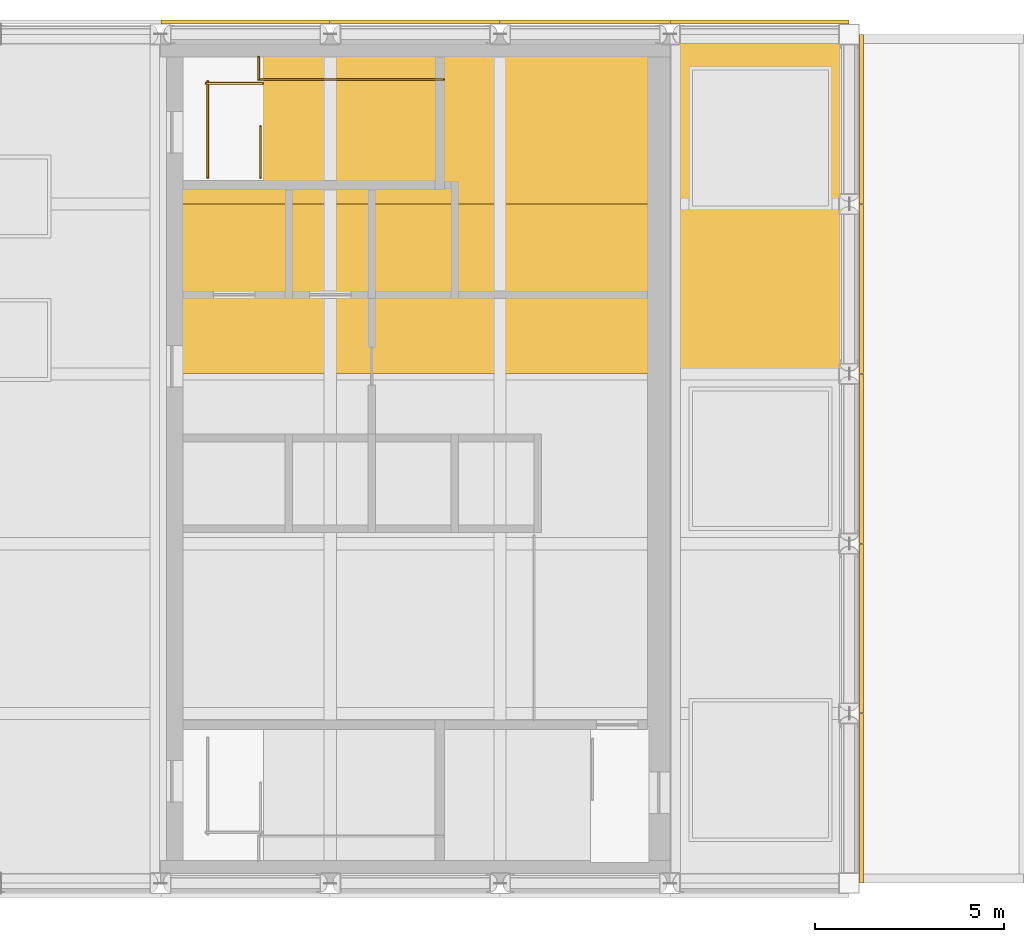
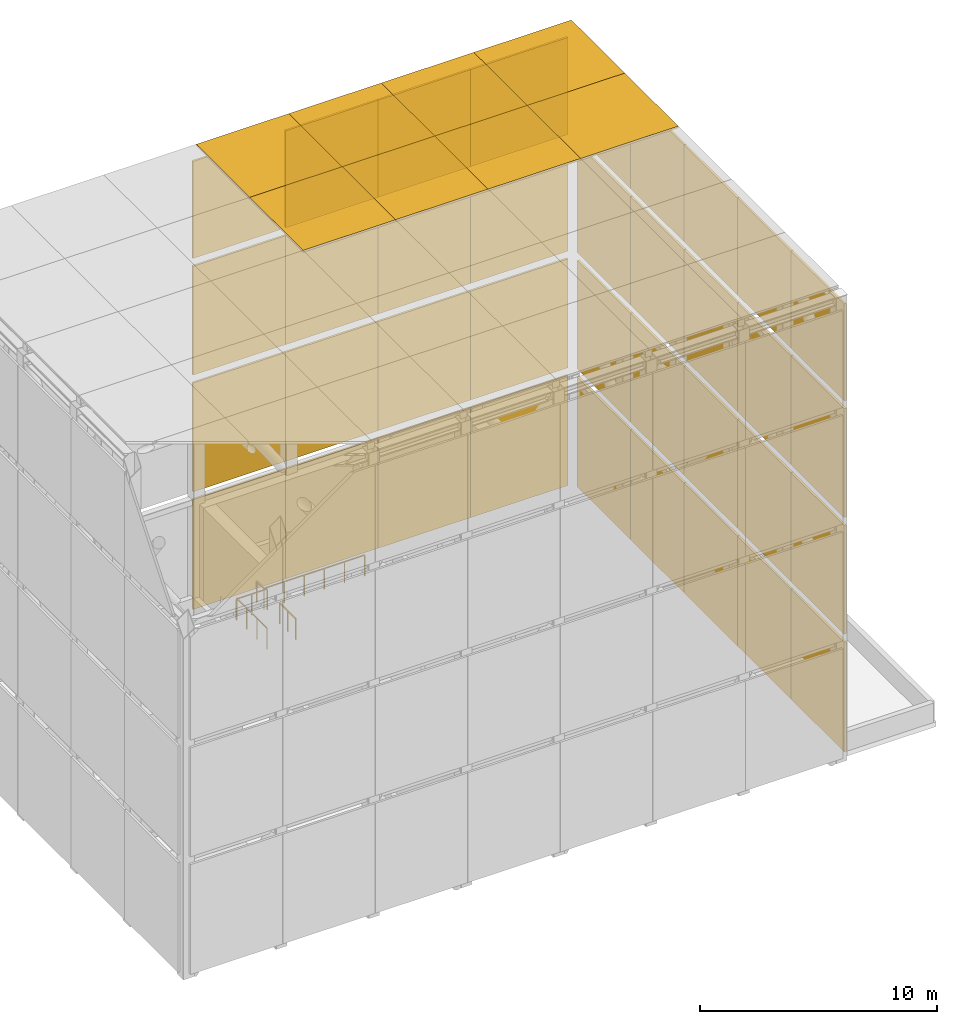
# One storey, part 9 of 11: 44 shading devices, 5 railings.
"""IFC4 building model written with IfcOpenShell, lengths in metres."""

from ifc_helpers import new_model, si_unit, direction, frame, origin, origin_2d, place, context, subcontext, project, spatial, rectangle, extrude, material, layer, layer_set, type_object, element, save


model = new_model("IFC4")

# Units and contexts
model_context = context("Model", 3, precision=1e-05, world=origin(), true_north=direction((0.0, 1.0)))
body_context = subcontext(model_context, "Body", "Model", "MODEL_VIEW")
ifc_project = project(units=[si_unit("LENGTHUNIT", "METRE"), si_unit("AREAUNIT", "SQUARE_METRE"), si_unit("VOLUMEUNIT", "CUBIC_METRE"), si_unit("PLANEANGLEUNIT", "RADIAN"), si_unit("MASSUNIT", "GRAM", prefix="KILO")], contexts=[model_context])

# Site, building, storey
site_placement = place(None, origin())
site = spatial("IfcSite", under=ifc_project, at=site_placement, CompositionType="ELEMENT")
building_placement = place(site_placement, origin())
building = spatial("IfcBuilding", under=site, at=building_placement, Name="Sennacour Bend Tower", CompositionType="ELEMENT")
storey_placement = place(building_placement, frame((0.0, 0.0, 355.5)))
storey = spatial("IfcBuildingStorey", under=building, at=storey_placement, Name="RF", CompositionType="ELEMENT", Elevation=355.5)

# Shading devices
ifc_material_1 = material(Name="Bronze anodised aluminium louvre", Category="aluminium")
ifc_layer_1 = layer(ifc_material_1, 0.10009765625, Name="Bronze anodised aluminium louvre", Category="aluminium")
ifc_layer_set_1 = layer_set([ifc_layer_1], Name="Bronze anodised aluminium louvre")
shading_device_type_1 = type_object("IfcShadingDeviceType", Name="CROWN ROOF LOUVRE", PredefinedType="USERDEFINED", material=ifc_layer_set_1)
for number, where, z_axis, x_axis, name in (
    (1, (56.25, 15.75, 24.0), (0.0, 0.0, 1.0), (1.0, 0.0, 0.0), "Crown roof louvre"),
    (2, (60.75, 15.75, 24.0), (0.0, 0.0, 1.0), (1.0, 0.0, 0.0), "Crown roof louvre"),
    (3, (65.25, 15.75, 24.0), (0.0, 0.0, 1.0), (1.0, 0.0, 0.0), "Crown roof louvre"),
):
    element("IfcShadingDevice", number, at=place(storey_placement, frame(where, z_axis=z_axis, x_axis=x_axis)), inside=storey, type_object=shading_device_type_1, Name=name, ObjectType="LOUVRE", PredefinedType="USERDEFINED", context=body_context, shape_type="SweptSolid", body=[
        extrude(rectangle(XDim=4.5, YDim=4.5, at=origin_2d()), origin(), (0.0, 0.0, 1.0), 0.10009765625),
    ])
shading_device_1_placement = place(storey_placement, frame((69.875, 15.75, 24.0), z_axis=(0.0, 0.0, 1.0), x_axis=(1.0, 0.0, 0.0)))
element("IfcShadingDevice", 4, at=shading_device_1_placement, inside=storey, type_object=shading_device_type_1, Name="Crown roof louvre", ObjectType="LOUVRE", PredefinedType="USERDEFINED", context=body_context, shape_type="SweptSolid", body=[
    extrude(rectangle(XDim=4.75, YDim=4.5, at=origin_2d()), origin(), (0.0, 0.0, 1.0), 0.10009765625),
])
for number, where, z_axis, x_axis, name in (
    (5, (56.25, 20.25, 24.0), (0.0, 0.0, 1.0), (1.0, 0.0, 0.0), "Crown roof louvre"),
    (6, (60.75, 20.25, 24.0), (0.0, 0.0, 1.0), (1.0, 0.0, 0.0), "Crown roof louvre"),
    (7, (65.25, 20.25, 24.0), (0.0, 0.0, 1.0), (1.0, 0.0, 0.0), "Crown roof louvre"),
):
    element("IfcShadingDevice", number, at=place(storey_placement, frame(where, z_axis=z_axis, x_axis=x_axis)), inside=storey, type_object=shading_device_type_1, Name=name, ObjectType="LOUVRE", PredefinedType="USERDEFINED", context=body_context, shape_type="SweptSolid", body=[
        extrude(rectangle(XDim=4.5, YDim=4.5, at=origin_2d()), origin(), (0.0, 0.0, 1.0), 0.10009765625),
    ])
shading_device_2_placement = place(storey_placement, frame((69.875, 20.25, 24.0), z_axis=(0.0, 0.0, 1.0), x_axis=(1.0, 0.0, 0.0)))
element("IfcShadingDevice", 8, at=shading_device_2_placement, inside=storey, type_object=shading_device_type_1, Name="Crown roof louvre", ObjectType="LOUVRE", PredefinedType="USERDEFINED", context=body_context, shape_type="SweptSolid", body=[
    extrude(rectangle(XDim=4.75, YDim=4.5, at=origin_2d()), origin(), (0.0, 0.0, 1.0), 0.10009765625),
])
ifc_material_2 = material(Name="Bronze anodised aluminium louvre screen", Category="aluminium")
ifc_layer_2 = layer(ifc_material_2, 0.10009765625, Name="Bronze anodised aluminium louvre screen", Category="aluminium")
ifc_layer_set_2 = layer_set([ifc_layer_2], Name="Bronze anodised aluminium louvre screen")
shading_device_type_2 = type_object("IfcShadingDeviceType", Name="CROWN SCREEN LOUVRE", PredefinedType="USERDEFINED", material=ifc_layer_set_2)
for number, where, z_axis, x_axis, name in (
    (9, (72.579345703125, 2.25, 18.0478515625), (0.0, 0.0, 1.0), (0.0, 1.0, 0.0), "Crown screen"),
    (10, (72.579345703125, 6.75, 18.0478515625), (0.0, 0.0, 1.0), (0.0, 1.0, 0.0), "Crown screen"),
    (11, (72.579345703125, 11.25, 18.0478515625), (0.0, 0.0, 1.0), (0.0, 1.0, 0.0), "Crown screen"),
    (12, (72.579345703125, 15.75, 18.0478515625), (0.0, 0.0, 1.0), (0.0, 1.0, 0.0), "Crown screen"),
    (13, (72.579345703125, 20.25, 18.0478515625), (0.0, 0.0, 1.0), (0.0, 1.0, 0.0), "Crown screen"),
    (14, (56.25, 22.829345703125, 18.0478515625), (0.0, 0.0, 1.0), (1.0, 0.0, 0.0), "Crown screen"),
    (15, (60.75, 22.829345703125, 18.0478515625), (0.0, 0.0, 1.0), (1.0, 0.0, 0.0), "Crown screen"),
    (16, (65.25, 22.829345703125, 18.0478515625), (0.0, 0.0, 1.0), (1.0, 0.0, 0.0), "Crown screen"),
):
    element("IfcShadingDevice", number, at=place(storey_placement, frame(where, z_axis=z_axis, x_axis=x_axis)), inside=storey, type_object=shading_device_type_2, Name=name, ObjectType="SCREEN", PredefinedType="USERDEFINED", context=body_context, shape_type="SweptSolid", body=[
        extrude(rectangle(XDim=4.489990234375, YDim=0.10009765625, at=origin_2d()), origin(), (0.0, 0.0, 1.0), 4.990966796875),
    ])
shading_device_3_placement = place(storey_placement, frame((69.875, 22.829345703125, 18.0478515625), z_axis=(0.0, 0.0, 1.0), x_axis=(1.0, 0.0, 0.0)))
element("IfcShadingDevice", 17, at=shading_device_3_placement, inside=storey, type_object=shading_device_type_2, Name="Crown screen", ObjectType="SCREEN", PredefinedType="USERDEFINED", context=body_context, shape_type="SweptSolid", body=[
    extrude(rectangle(XDim=4.739990234375, YDim=0.10009765625, at=origin_2d()), origin(), (0.0, 0.0, 1.0), 4.990966796875),
])
ifc_material_3 = material(Name="Perforated bronze anodised aluminium screen", Category="aluminium")
ifc_layer_3 = layer(ifc_material_3, 0.10009765625, Name="Perforated bronze anodised aluminium screen", Category="aluminium")
ifc_layer_set_3 = layer_set([ifc_layer_3], Name="Perforated bronze anodised aluminium screen")
shading_device_type_3 = type_object("IfcShadingDeviceType", Name="CROWN SCREEN PERFORATED", PredefinedType="USERDEFINED", material=ifc_layer_set_3)
shading_device_4_placement = place(storey_placement, frame((72.579345703125, 2.25, 0.0), z_axis=(0.0, 0.0, 1.0), x_axis=(0.0, 1.0, 0.0)))
element("IfcShadingDevice", 18, at=shading_device_4_placement, inside=storey, type_object=shading_device_type_3, Name="Crown screen", ObjectType="SCREEN", PredefinedType="USERDEFINED", context=body_context, shape_type="SweptSolid", body=[
    extrude(rectangle(XDim=4.489990234375, YDim=0.10009765625, at=origin_2d()), origin(), (0.0, 0.0, 1.0), 5.64794921875),
])
for number, where, z_axis, x_axis, name in (
    (19, (72.579345703125, 2.25, 6.0478515625), (0.0, 0.0, 1.0), (0.0, 1.0, 0.0), "Crown screen"),
    (20, (72.579345703125, 2.25, 12.0478515625), (0.0, 0.0, 1.0), (0.0, 1.0, 0.0), "Crown screen"),
):
    element("IfcShadingDevice", number, at=place(storey_placement, frame(where, z_axis=z_axis, x_axis=x_axis)), inside=storey, type_object=shading_device_type_3, Name=name, ObjectType="SCREEN", PredefinedType="USERDEFINED", context=body_context, shape_type="SweptSolid", body=[
        extrude(rectangle(XDim=4.489990234375, YDim=0.10009765625, at=origin_2d()), origin(), (0.0, 0.0, 1.0), 5.60009765625),
    ])
shading_device_5_placement = place(storey_placement, frame((72.579345703125, 6.75, 0.0), z_axis=(0.0, 0.0, 1.0), x_axis=(0.0, 1.0, 0.0)))
element("IfcShadingDevice", 21, at=shading_device_5_placement, inside=storey, type_object=shading_device_type_3, Name="Crown screen", ObjectType="SCREEN", PredefinedType="USERDEFINED", context=body_context, shape_type="SweptSolid", body=[
    extrude(rectangle(XDim=4.489990234375, YDim=0.10009765625, at=origin_2d()), origin(), (0.0, 0.0, 1.0), 5.64794921875),
])
for number, where, z_axis, x_axis, name in (
    (22, (72.579345703125, 6.75, 6.0478515625), (0.0, 0.0, 1.0), (0.0, 1.0, 0.0), "Crown screen"),
    (23, (72.579345703125, 6.75, 12.0478515625), (0.0, 0.0, 1.0), (0.0, 1.0, 0.0), "Crown screen"),
):
    element("IfcShadingDevice", number, at=place(storey_placement, frame(where, z_axis=z_axis, x_axis=x_axis)), inside=storey, type_object=shading_device_type_3, Name=name, ObjectType="SCREEN", PredefinedType="USERDEFINED", context=body_context, shape_type="SweptSolid", body=[
        extrude(rectangle(XDim=4.489990234375, YDim=0.10009765625, at=origin_2d()), origin(), (0.0, 0.0, 1.0), 5.60009765625),
    ])
shading_device_6_placement = place(storey_placement, frame((72.579345703125, 11.25, 0.0), z_axis=(0.0, 0.0, 1.0), x_axis=(0.0, 1.0, 0.0)))
element("IfcShadingDevice", 24, at=shading_device_6_placement, inside=storey, type_object=shading_device_type_3, Name="Crown screen", ObjectType="SCREEN", PredefinedType="USERDEFINED", context=body_context, shape_type="SweptSolid", body=[
    extrude(rectangle(XDim=4.489990234375, YDim=0.10009765625, at=origin_2d()), origin(), (0.0, 0.0, 1.0), 5.64794921875),
])
for number, where, z_axis, x_axis, name in (
    (25, (72.579345703125, 11.25, 6.0478515625), (0.0, 0.0, 1.0), (0.0, 1.0, 0.0), "Crown screen"),
    (26, (72.579345703125, 11.25, 12.0478515625), (0.0, 0.0, 1.0), (0.0, 1.0, 0.0), "Crown screen"),
):
    element("IfcShadingDevice", number, at=place(storey_placement, frame(where, z_axis=z_axis, x_axis=x_axis)), inside=storey, type_object=shading_device_type_3, Name=name, ObjectType="SCREEN", PredefinedType="USERDEFINED", context=body_context, shape_type="SweptSolid", body=[
        extrude(rectangle(XDim=4.489990234375, YDim=0.10009765625, at=origin_2d()), origin(), (0.0, 0.0, 1.0), 5.60009765625),
    ])
shading_device_7_placement = place(storey_placement, frame((72.579345703125, 15.75, 0.0), z_axis=(0.0, 0.0, 1.0), x_axis=(0.0, 1.0, 0.0)))
element("IfcShadingDevice", 27, at=shading_device_7_placement, inside=storey, type_object=shading_device_type_3, Name="Crown screen", ObjectType="SCREEN", PredefinedType="USERDEFINED", context=body_context, shape_type="SweptSolid", body=[
    extrude(rectangle(XDim=4.489990234375, YDim=0.10009765625, at=origin_2d()), origin(), (0.0, 0.0, 1.0), 5.64794921875),
])
for number, where, z_axis, x_axis, name in (
    (28, (72.579345703125, 15.75, 6.0478515625), (0.0, 0.0, 1.0), (0.0, 1.0, 0.0), "Crown screen"),
    (29, (72.579345703125, 15.75, 12.0478515625), (0.0, 0.0, 1.0), (0.0, 1.0, 0.0), "Crown screen"),
):
    element("IfcShadingDevice", number, at=place(storey_placement, frame(where, z_axis=z_axis, x_axis=x_axis)), inside=storey, type_object=shading_device_type_3, Name=name, ObjectType="SCREEN", PredefinedType="USERDEFINED", context=body_context, shape_type="SweptSolid", body=[
        extrude(rectangle(XDim=4.489990234375, YDim=0.10009765625, at=origin_2d()), origin(), (0.0, 0.0, 1.0), 5.60009765625),
    ])
shading_device_8_placement = place(storey_placement, frame((72.579345703125, 20.25, 0.0), z_axis=(0.0, 0.0, 1.0), x_axis=(0.0, 1.0, 0.0)))
element("IfcShadingDevice", 30, at=shading_device_8_placement, inside=storey, type_object=shading_device_type_3, Name="Crown screen", ObjectType="SCREEN", PredefinedType="USERDEFINED", context=body_context, shape_type="SweptSolid", body=[
    extrude(rectangle(XDim=4.489990234375, YDim=0.10009765625, at=origin_2d()), origin(), (0.0, 0.0, 1.0), 5.64794921875),
])
for number, where, z_axis, x_axis, name in (
    (31, (72.579345703125, 20.25, 6.0478515625), (0.0, 0.0, 1.0), (0.0, 1.0, 0.0), "Crown screen"),
    (32, (72.579345703125, 20.25, 12.0478515625), (0.0, 0.0, 1.0), (0.0, 1.0, 0.0), "Crown screen"),
):
    element("IfcShadingDevice", number, at=place(storey_placement, frame(where, z_axis=z_axis, x_axis=x_axis)), inside=storey, type_object=shading_device_type_3, Name=name, ObjectType="SCREEN", PredefinedType="USERDEFINED", context=body_context, shape_type="SweptSolid", body=[
        extrude(rectangle(XDim=4.489990234375, YDim=0.10009765625, at=origin_2d()), origin(), (0.0, 0.0, 1.0), 5.60009765625),
    ])
shading_device_9_placement = place(storey_placement, frame((56.25, 22.829345703125, 0.0), z_axis=(0.0, 0.0, 1.0), x_axis=(1.0, 0.0, 0.0)))
element("IfcShadingDevice", 33, at=shading_device_9_placement, inside=storey, type_object=shading_device_type_3, Name="Crown screen", ObjectType="SCREEN", PredefinedType="USERDEFINED", context=body_context, shape_type="SweptSolid", body=[
    extrude(rectangle(XDim=4.489990234375, YDim=0.10009765625, at=origin_2d()), origin(), (0.0, 0.0, 1.0), 5.64794921875),
])
for number, where, z_axis, x_axis, name in (
    (34, (56.25, 22.829345703125, 6.0478515625), (0.0, 0.0, 1.0), (1.0, 0.0, 0.0), "Crown screen"),
    (35, (56.25, 22.829345703125, 12.0478515625), (0.0, 0.0, 1.0), (1.0, 0.0, 0.0), "Crown screen"),
):
    element("IfcShadingDevice", number, at=place(storey_placement, frame(where, z_axis=z_axis, x_axis=x_axis)), inside=storey, type_object=shading_device_type_3, Name=name, ObjectType="SCREEN", PredefinedType="USERDEFINED", context=body_context, shape_type="SweptSolid", body=[
        extrude(rectangle(XDim=4.489990234375, YDim=0.10009765625, at=origin_2d()), origin(), (0.0, 0.0, 1.0), 5.60009765625),
    ])
shading_device_10_placement = place(storey_placement, frame((60.75, 22.829345703125, 0.0), z_axis=(0.0, 0.0, 1.0), x_axis=(1.0, 0.0, 0.0)))
element("IfcShadingDevice", 36, at=shading_device_10_placement, inside=storey, type_object=shading_device_type_3, Name="Crown screen", ObjectType="SCREEN", PredefinedType="USERDEFINED", context=body_context, shape_type="SweptSolid", body=[
    extrude(rectangle(XDim=4.489990234375, YDim=0.10009765625, at=origin_2d()), origin(), (0.0, 0.0, 1.0), 5.64794921875),
])
for number, where, z_axis, x_axis, name in (
    (37, (60.75, 22.829345703125, 6.0478515625), (0.0, 0.0, 1.0), (1.0, 0.0, 0.0), "Crown screen"),
    (38, (60.75, 22.829345703125, 12.0478515625), (0.0, 0.0, 1.0), (1.0, 0.0, 0.0), "Crown screen"),
):
    element("IfcShadingDevice", number, at=place(storey_placement, frame(where, z_axis=z_axis, x_axis=x_axis)), inside=storey, type_object=shading_device_type_3, Name=name, ObjectType="SCREEN", PredefinedType="USERDEFINED", context=body_context, shape_type="SweptSolid", body=[
        extrude(rectangle(XDim=4.489990234375, YDim=0.10009765625, at=origin_2d()), origin(), (0.0, 0.0, 1.0), 5.60009765625),
    ])
shading_device_11_placement = place(storey_placement, frame((65.25, 22.829345703125, 0.0), z_axis=(0.0, 0.0, 1.0), x_axis=(1.0, 0.0, 0.0)))
element("IfcShadingDevice", 39, at=shading_device_11_placement, inside=storey, type_object=shading_device_type_3, Name="Crown screen", ObjectType="SCREEN", PredefinedType="USERDEFINED", context=body_context, shape_type="SweptSolid", body=[
    extrude(rectangle(XDim=4.489990234375, YDim=0.10009765625, at=origin_2d()), origin(), (0.0, 0.0, 1.0), 5.64794921875),
])
for number, where, z_axis, x_axis, name in (
    (40, (65.25, 22.829345703125, 6.0478515625), (0.0, 0.0, 1.0), (1.0, 0.0, 0.0), "Crown screen"),
    (41, (65.25, 22.829345703125, 12.0478515625), (0.0, 0.0, 1.0), (1.0, 0.0, 0.0), "Crown screen"),
):
    element("IfcShadingDevice", number, at=place(storey_placement, frame(where, z_axis=z_axis, x_axis=x_axis)), inside=storey, type_object=shading_device_type_3, Name=name, ObjectType="SCREEN", PredefinedType="USERDEFINED", context=body_context, shape_type="SweptSolid", body=[
        extrude(rectangle(XDim=4.489990234375, YDim=0.10009765625, at=origin_2d()), origin(), (0.0, 0.0, 1.0), 5.60009765625),
    ])
shading_device_12_placement = place(storey_placement, frame((69.875, 22.829345703125, 0.0), z_axis=(0.0, 0.0, 1.0), x_axis=(1.0, 0.0, 0.0)))
element("IfcShadingDevice", 42, at=shading_device_12_placement, inside=storey, type_object=shading_device_type_3, Name="Crown screen", ObjectType="SCREEN", PredefinedType="USERDEFINED", context=body_context, shape_type="SweptSolid", body=[
    extrude(rectangle(XDim=4.739990234375, YDim=0.10009765625, at=origin_2d()), origin(), (0.0, 0.0, 1.0), 5.64794921875),
])
for number, where, z_axis, x_axis, name in (
    (43, (69.875, 22.829345703125, 6.0478515625), (0.0, 0.0, 1.0), (1.0, 0.0, 0.0), "Crown screen"),
    (44, (69.875, 22.829345703125, 12.0478515625), (0.0, 0.0, 1.0), (1.0, 0.0, 0.0), "Crown screen"),
):
    element("IfcShadingDevice", number, at=place(storey_placement, frame(where, z_axis=z_axis, x_axis=x_axis)), inside=storey, type_object=shading_device_type_3, Name=name, ObjectType="SCREEN", PredefinedType="USERDEFINED", context=body_context, shape_type="SweptSolid", body=[
        extrude(rectangle(XDim=4.739990234375, YDim=0.10009765625, at=origin_2d()), origin(), (0.0, 0.0, 1.0), 5.60009765625),
    ])

# Railings
ifc_material_4 = material(Name="Stainless steel", Category="steel")
railing_type = type_object("IfcRailingType", Name="RL-GUARD-1100", PredefinedType="GUARDRAIL", material=ifc_material_4)
railing_1_placement = place(storey_placement, frame((56.64990234375, 18.699951171875, 0.0)))
element("IfcRailing", 45, at=railing_1_placement, inside=storey, type_object=railing_type, Name="RF SA2 top well guard 1", PredefinedType="GUARDRAIL", context=body_context, shape_type="SweptSolid", body=[
    extrude(rectangle(XDim=0.048095703125, YDim=0.048095703125, at=origin_2d()), frame((0.0, 0.0, 1.076171875), z_axis=(0.0, 1.0, 0.0), x_axis=(-1.0, 0.0, 0.0)), (0.0, 0.0, 1.0), 1.35009765625),
    extrude(rectangle(XDim=0.0419921875, YDim=0.0419921875, at=origin_2d()), origin(), (0.0, 0.0, 1.0), 1.052001953125),
    extrude(rectangle(XDim=0.0419921875, YDim=0.0419921875, at=origin_2d()), frame((0.0, 0.675048828125, 0.0)), (0.0, 0.0, 1.0), 1.052001953125),
    extrude(rectangle(XDim=0.0419921875, YDim=0.0419921875, at=origin_2d()), frame((0.0, 1.35009765625, 0.0)), (0.0, 0.0, 1.0), 1.052001953125),
])
railing_2_placement = place(storey_placement, frame((56.60009765625, 21.300048828125, 0.0)))
element("IfcRailing", 46, at=railing_2_placement, inside=storey, type_object=railing_type, Name="RF SA2 top well guard 2", PredefinedType="GUARDRAIL", context=body_context, shape_type="SweptSolid", body=[
    extrude(rectangle(XDim=0.048095703125, YDim=0.048095703125, at=origin_2d()), frame((0.0, 0.0, 1.076171875), z_axis=(1.0, 0.0, 0.0), x_axis=(0.0, 1.0, 0.0)), (0.0, 0.0, 1.0), 4.89990234375),
    extrude(rectangle(XDim=0.0419921875, YDim=0.0419921875, at=origin_2d()), origin(), (0.0, 0.0, 1.0), 1.052001953125),
    extrude(rectangle(XDim=0.0419921875, YDim=0.0419921875, at=origin_2d()), frame((0.97998046875, 0.0, 0.0)), (0.0, 0.0, 1.0), 1.052001953125),
    extrude(rectangle(XDim=0.0419921875, YDim=0.0419921875, at=origin_2d()), frame((1.9599609375, 0.0, 0.0)), (0.0, 0.0, 1.0), 1.052001953125),
    extrude(rectangle(XDim=0.0419921875, YDim=0.0419921875, at=origin_2d()), frame((2.93994140625, 0.0, 0.0)), (0.0, 0.0, 1.0), 1.052001953125),
    extrude(rectangle(XDim=0.0419921875, YDim=0.0419921875, at=origin_2d()), frame((3.919921875, 0.0, 0.0)), (0.0, 0.0, 1.0), 1.052001953125),
    extrude(rectangle(XDim=0.0419921875, YDim=0.0419921875, at=origin_2d()), frame((4.89990234375, 0.0, 0.0)), (0.0, 0.0, 1.0), 1.052001953125),
])
railing_3_placement = place(storey_placement, frame((55.199951171875, 21.199951171875, 0.0)))
element("IfcRailing", 47, at=railing_3_placement, inside=storey, type_object=railing_type, Name="RF SA2 top well guard 3", PredefinedType="GUARDRAIL", context=body_context, shape_type="SweptSolid", body=[
    extrude(rectangle(XDim=0.048095703125, YDim=0.048095703125, at=origin_2d()), frame((0.0, 0.0, 1.076171875), z_axis=(1.0, 0.0, 0.0), x_axis=(0.0, 1.0, 0.0)), (0.0, 0.0, 1.0), 1.5),
    extrude(rectangle(XDim=0.0419921875, YDim=0.0419921875, at=origin_2d()), origin(), (0.0, 0.0, 1.0), 1.052001953125),
    extrude(rectangle(XDim=0.0419921875, YDim=0.0419921875, at=origin_2d()), frame((0.75, 0.0, 0.0)), (0.0, 0.0, 1.0), 1.052001953125),
    extrude(rectangle(XDim=0.0419921875, YDim=0.0419921875, at=origin_2d()), frame((1.5, 0.0, 0.0)), (0.0, 0.0, 1.0), 1.052001953125),
])
railing_4_placement = place(storey_placement, frame((55.25, 18.699951171875, 0.0)))
element("IfcRailing", 48, at=railing_4_placement, inside=storey, type_object=railing_type, Name="RF SA2 top well guard 4", PredefinedType="GUARDRAIL", context=body_context, shape_type="SweptSolid", body=[
    extrude(rectangle(XDim=0.048095703125, YDim=0.048095703125, at=origin_2d()), frame((0.0, 0.0, 1.076171875), z_axis=(0.0, 1.0, 0.0), x_axis=(-1.0, 0.0, 0.0)), (0.0, 0.0, 1.0), 2.550048828125),
    extrude(rectangle(XDim=0.0419921875, YDim=0.0419921875, at=origin_2d()), origin(), (0.0, 0.0, 1.0), 1.052001953125),
    extrude(rectangle(XDim=0.0419921875, YDim=0.0419921875, at=origin_2d()), frame((0.0, 0.85009765625, 0.0)), (0.0, 0.0, 1.0), 1.052001953125),
    extrude(rectangle(XDim=0.0419921875, YDim=0.0419921875, at=origin_2d()), frame((0.0, 1.699951171875, 0.0)), (0.0, 0.0, 1.0), 1.052001953125),
    extrude(rectangle(XDim=0.0419921875, YDim=0.0419921875, at=origin_2d()), frame((0.0, 2.550048828125, 0.0)), (0.0, 0.0, 1.0), 1.052001953125),
])
railing_5_placement = place(storey_placement, frame((56.60009765625, 21.300048828125, 0.0)))
element("IfcRailing", 49, at=railing_5_placement, inside=storey, type_object=railing_type, Name="RF SA2 landing edge guard 135", PredefinedType="GUARDRAIL", context=body_context, shape_type="SweptSolid", body=[
    extrude(rectangle(XDim=0.048095703125, YDim=0.048095703125, at=origin_2d()), frame((0.0, 0.0, 1.076171875), z_axis=(0.0, 1.0, 0.0), x_axis=(-1.0, 0.0, 0.0)), (0.0, 0.0, 1.0), 0.599853515625),
    extrude(rectangle(XDim=0.0419921875, YDim=0.0419921875, at=origin_2d()), origin(), (0.0, 0.0, 1.0), 1.052001953125),
    extrude(rectangle(XDim=0.0419921875, YDim=0.0419921875, at=origin_2d()), frame((0.0, 0.599853515625, 0.0)), (0.0, 0.0, 1.0), 1.052001953125),
])

save(model, "model.ifc")
